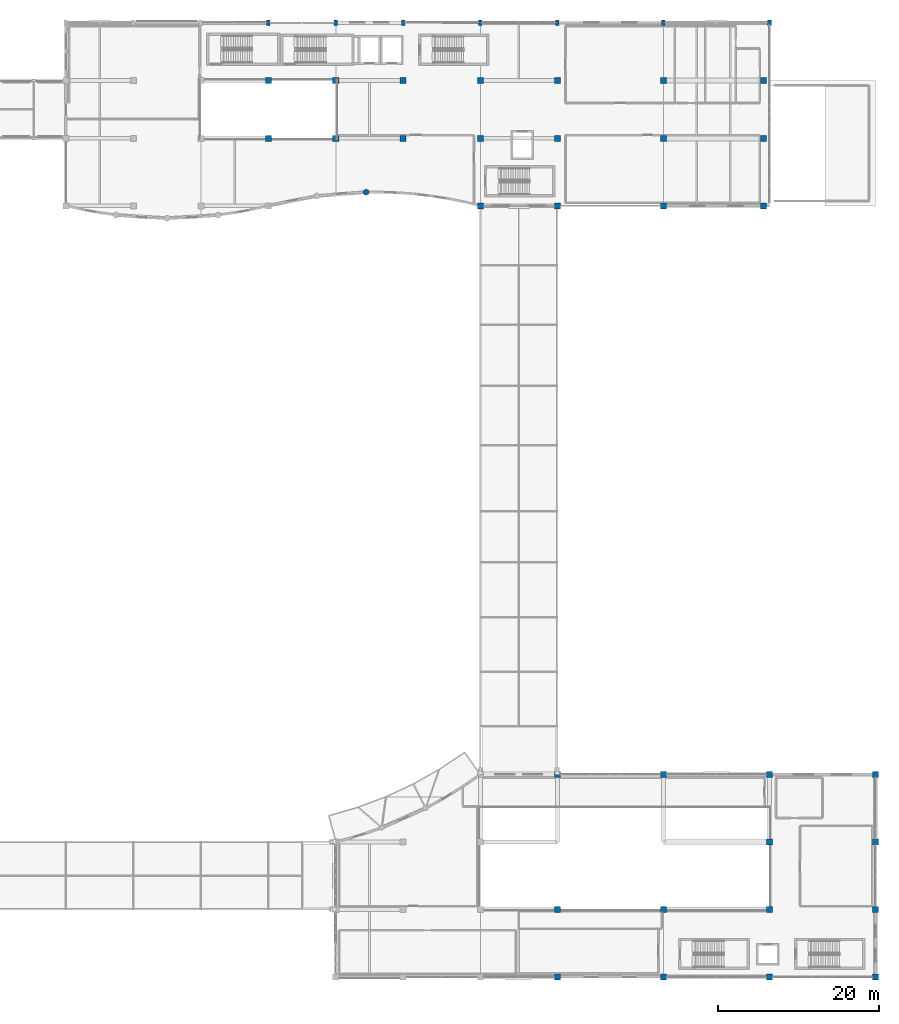
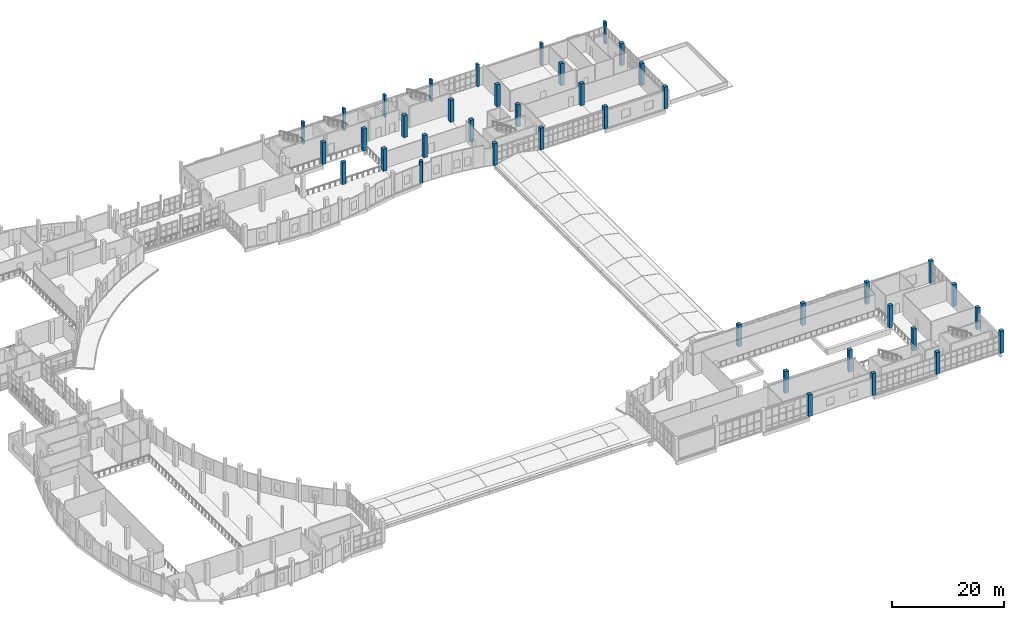
# One storey, part 8 of 106: 40 columns.
"""IFC4 building model written with IfcOpenShell, lengths in metres."""

from ifc_helpers import new_model, si_unit, direction, frame, origin, origin_2d, place, context, subcontext, project, spatial, rectangle, circle, extrude, material, material_profile, profile_set, type_object, element, save


model = new_model("IFC4")

# Units and contexts
model_context = context("Model", 3, precision=1e-05, world=origin(), true_north=direction((0.0, 1.0)))
body_context = subcontext(model_context, "Body", "Model", "MODEL_VIEW")
ifc_project = project(units=[si_unit("LENGTHUNIT", "METRE"), si_unit("AREAUNIT", "SQUARE_METRE"), si_unit("VOLUMEUNIT", "CUBIC_METRE"), si_unit("PLANEANGLEUNIT", "RADIAN"), si_unit("MASSUNIT", "GRAM", prefix="KILO")], contexts=[model_context])

# Site, building, storey
site_placement = place(None, origin())
site = spatial("IfcSite", under=ifc_project, at=site_placement, CompositionType="ELEMENT")
building_placement = place(site_placement, origin())
building = spatial("IfcBuilding", under=site, at=building_placement, Name="Kisaragi Civic Commons", CompositionType="ELEMENT")
storey_placement = place(building_placement, frame((0.0, 0.0, 4.800048828125)))
storey = spatial("IfcBuildingStorey", under=building, at=storey_placement, Name="L01", CompositionType="ELEMENT", Elevation=4.800048828125)

# Columns
ifc_material_1 = material(Name="Concrete Fc36", Category="concrete")
ifc_material_profile_1 = material_profile(ifc_material_1, rectangle(XDim=0.75, YDim=0.75, at=origin_2d()), Name="RC-750x750", Category="concrete")
ifc_profile_set_1 = profile_set([ifc_material_profile_1], Name="Concrete Fc36")
column_type_1 = type_object("IfcColumnType", Name="C-02", PredefinedType="COLUMN", material=ifc_profile_set_1)
for number, where, z_axis, x_axis, name in (
    (1, (97.199951171875, 104.39990234375, 0.0), (0.0, 0.0, 1.0), (1.0, 0.0, 0.0), "L01 column C-02 (97.2,104.4)"),
    (2, (97.199951171875, 111.60009765625, 0.0), (0.0, 0.0, 1.0), (1.0, 0.0, 0.0), "L01 column C-02 (97.2,111.6)"),
    (3, (105.60009765625, 104.39990234375, 0.0), (0.0, 0.0, 1.0), (1.0, 0.0, 0.0), "L01 column C-02 (105.6,104.4)"),
    (4, (105.60009765625, 111.60009765625, 0.0), (0.0, 0.0, 1.0), (1.0, 0.0, 0.0), "L01 column C-02 (105.6,111.6)"),
    (5, (114.0, 104.39990234375, 0.0), (0.0, 0.0, 1.0), (1.0, 0.0, 0.0), "L01 column C-02 (114.0,104.4)"),
    (6, (114.0, 111.60009765625, 0.0), (0.0, 0.0, 1.0), (1.0, 0.0, 0.0), "L01 column C-02 (114.0,111.6)"),
    (7, (123.60009765625, 104.39990234375, 0.0), (0.0, 0.0, 1.0), (1.0, 0.0, 0.0), "L01 column C-02 (123.6,104.4)"),
    (8, (123.60009765625, 111.60009765625, 0.0), (0.0, 0.0, 1.0), (1.0, 0.0, 0.0), "L01 column C-02 (123.6,111.6)"),
    (9, (133.199951171875, 8.39990234375, 0.0), (0.0, 0.0, 1.0), (1.0, 0.0, 0.0), "L01 column C-02 (133.2,8.4)"),
    (10, (133.199951171875, 104.39990234375, 0.0), (0.0, 0.0, 1.0), (1.0, 0.0, 0.0), "L01 column C-02 (133.2,104.4)"),
    (11, (133.199951171875, 111.60009765625, 0.0), (0.0, 0.0, 1.0), (1.0, 0.0, 0.0), "L01 column C-02 (133.2,111.6)"),
    (12, (146.39990234375, 8.39990234375, 0.0), (0.0, 0.0, 1.0), (1.0, 0.0, 0.0), "L01 column C-02 (146.4,8.4)"),
    (13, (146.39990234375, 104.39990234375, 0.0), (0.0, 0.0, 1.0), (1.0, 0.0, 0.0), "L01 column C-02 (146.4,104.4)"),
    (14, (146.39990234375, 111.60009765625, 0.0), (0.0, 0.0, 1.0), (1.0, 0.0, 0.0), "L01 column C-02 (146.4,111.6)"),
    (15, (159.60009765625, 8.39990234375, 0.0), (0.0, 0.0, 1.0), (1.0, 0.0, 0.0), "L01 column C-02 (159.6,8.4)"),
    (16, (159.60009765625, 16.800048828125, 0.0), (0.0, 0.0, 1.0), (1.0, 0.0, 0.0), "L01 column C-02 (159.6,16.8)"),
):
    element("IfcColumn", number, at=place(storey_placement, frame(where, z_axis=z_axis, x_axis=x_axis)), inside=storey, type_object=column_type_1, Name=name, PredefinedType="COLUMN", context=body_context, shape_type="SweptSolid", body=[
        extrude(rectangle(XDim=0.75, YDim=0.75, at=origin_2d()), origin(), (0.0, 0.0, 1.0), 4.800048828125),
    ])
ifc_material_profile_2 = material_profile(ifc_material_1, rectangle(XDim=0.75, YDim=0.75, at=origin_2d()), Name="RC-750x750", Category="concrete")
ifc_profile_set_2 = profile_set([ifc_material_profile_2], Name="Concrete Fc36")
column_type_2 = type_object("IfcColumnType", Name="C-06", PredefinedType="COLUMN", material=ifc_profile_set_2)
for number, where, z_axis, x_axis, name in (
    (17, (123.60009765625, 96.0, 0.0), (0.0, 0.0, 1.0), (1.0, 0.0, 0.0), "L01 column C-06 (123.6,96.0)"),
    (18, (133.199951171875, 0.0, 0.0), (0.0, 0.0, 1.0), (1.0, 0.0, 0.0), "L01 column C-06 (133.2,0.0)"),
    (19, (133.199951171875, 25.199951171875, 0.0), (0.0, 0.0, 1.0), (1.0, 0.0, 0.0), "L01 column C-06 (133.2,25.2)"),
    (20, (133.199951171875, 96.0, 0.0), (0.0, 0.0, 1.0), (1.0, 0.0, 0.0), "L01 column C-06 (133.2,96.0)"),
    (21, (146.39990234375, 0.0, 0.0), (0.0, 0.0, 1.0), (1.0, 0.0, 0.0), "L01 column C-06 (146.4,0.0)"),
    (22, (146.39990234375, 25.199951171875, 0.0), (0.0, 0.0, 1.0), (1.0, 0.0, 0.0), "L01 column C-06 (146.4,25.2)"),
    (23, (146.39990234375, 96.0, 0.0), (0.0, 0.0, 1.0), (1.0, 0.0, 0.0), "L01 column C-06 (146.4,96.0)"),
    (24, (158.85009765625, 96.0, 0.0), (0.0, 0.0, 1.0), (1.0, 0.0, 0.0), "L01 column C-06 (158.8,96.0)"),
    (25, (158.85009765625, 104.39990234375, 0.0), (0.0, 0.0, 1.0), (1.0, 0.0, 0.0), "L01 column C-06 (158.8,104.4)"),
    (26, (158.85009765625, 111.60009765625, 0.0), (0.0, 0.0, 1.0), (1.0, 0.0, 0.0), "L01 column C-06 (158.8,111.6)"),
    (27, (159.60009765625, 0.0, 0.0), (0.0, 0.0, 1.0), (1.0, 0.0, 0.0), "L01 column C-06 (159.6,0.0)"),
    (28, (159.60009765625, 25.199951171875, 0.0), (0.0, 0.0, 1.0), (1.0, 0.0, 0.0), "L01 column C-06 (159.6,25.2)"),
    (29, (172.800048828125, 0.0, 0.0), (0.0, 0.0, 1.0), (1.0, 0.0, 0.0), "L01 column C-06 (172.8,0.0)"),
    (30, (172.800048828125, 8.39990234375, 0.0), (0.0, 0.0, 1.0), (1.0, 0.0, 0.0), "L01 column C-06 (172.8,8.4)"),
    (31, (172.800048828125, 16.800048828125, 0.0), (0.0, 0.0, 1.0), (1.0, 0.0, 0.0), "L01 column C-06 (172.8,16.8)"),
    (32, (172.800048828125, 25.199951171875, 0.0), (0.0, 0.0, 1.0), (1.0, 0.0, 0.0), "L01 column C-06 (172.8,25.2)"),
):
    element("IfcColumn", number, at=place(storey_placement, frame(where, z_axis=z_axis, x_axis=x_axis)), inside=storey, type_object=column_type_2, Name=name, PredefinedType="COLUMN", context=body_context, shape_type="SweptSolid", body=[
        extrude(rectangle(XDim=0.75, YDim=0.75, at=origin_2d()), origin(), (0.0, 0.0, 1.0), 4.800048828125),
    ])
ifc_material_profile_3 = material_profile(ifc_material_1, circle(Radius=0.375, at=origin_2d()), Name="RC-D750", Category="concrete")
ifc_profile_set_3 = profile_set([ifc_material_profile_3], Name="Concrete Fc36")
column_type_3 = type_object("IfcColumnType", Name="C-24", PredefinedType="COLUMN", material=ifc_profile_set_3)
column_placement = place(storey_placement, frame((109.373291015625, 97.693115234375, 0.0), z_axis=(0.0, 0.0, 1.0), x_axis=(1.0, 0.0, 0.0)))
element("IfcColumn", 33, at=column_placement, inside=storey, type_object=column_type_3, Name="L01 column C-24 (109.4,97.7)", PredefinedType="COLUMN", context=body_context, shape_type="SweptSolid", body=[
    extrude(circle(Radius=0.375, at=origin_2d()), origin(), (0.0, 0.0, 1.0), 4.800048828125),
])
ifc_material_2 = material(Name="Precast concrete Fc36", Category="concrete")
ifc_material_profile_4 = material_profile(ifc_material_2, rectangle(XDim=0.449951171875, YDim=0.64990234375, at=origin_2d()), Name="RC-450x650", Category="concrete")
ifc_profile_set_4 = profile_set([ifc_material_profile_4], Name="Precast concrete Fc36")
column_type_4 = type_object("IfcColumnType", Name="PL-03", PredefinedType="PILASTER", material=ifc_profile_set_4)
for number, where, z_axis, x_axis, name in (
    (34, (97.199951171875, 118.800048828125, 0.0), (0.0, 0.0, 1.0), (1.0, 0.0, 0.0), "L01 column PL-03 (97.2,118.8)"),
    (35, (105.60009765625, 118.800048828125, 0.0), (0.0, 0.0, 1.0), (1.0, 0.0, 0.0), "L01 column PL-03 (105.6,118.8)"),
    (36, (114.0, 118.800048828125, 0.0), (0.0, 0.0, 1.0), (1.0, 0.0, 0.0), "L01 column PL-03 (114.0,118.8)"),
    (37, (123.60009765625, 118.800048828125, 0.0), (0.0, 0.0, 1.0), (1.0, 0.0, 0.0), "L01 column PL-03 (123.6,118.8)"),
    (38, (133.199951171875, 118.800048828125, 0.0), (0.0, 0.0, 1.0), (1.0, 0.0, 0.0), "L01 column PL-03 (133.2,118.8)"),
    (39, (146.39990234375, 118.800048828125, 0.0), (0.0, 0.0, 1.0), (1.0, 0.0, 0.0), "L01 column PL-03 (146.4,118.8)"),
    (40, (159.60009765625, 118.800048828125, 0.0), (0.0, 0.0, 1.0), (1.0, 0.0, 0.0), "L01 column PL-03 (159.6,118.8)"),
):
    element("IfcColumn", number, at=place(storey_placement, frame(where, z_axis=z_axis, x_axis=x_axis)), inside=storey, type_object=column_type_4, Name=name, PredefinedType="PILASTER", context=body_context, shape_type="SweptSolid", body=[
        extrude(rectangle(XDim=0.449951171875, YDim=0.64990234375, at=origin_2d()), origin(), (0.0, 0.0, 1.0), 4.800048828125),
    ])

save(model, "model.ifc")
